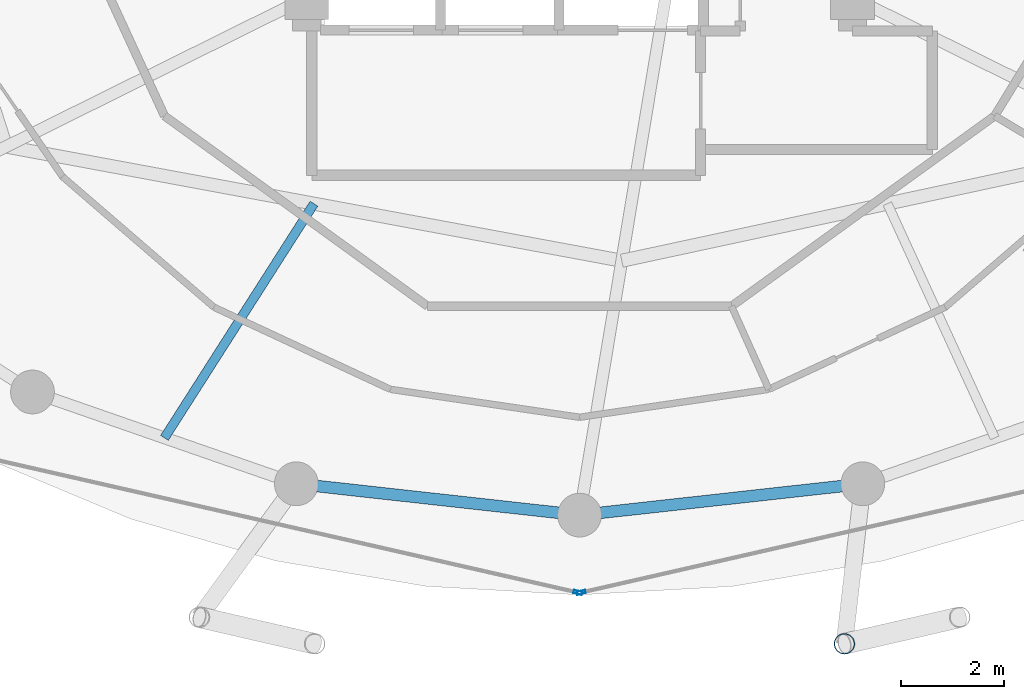
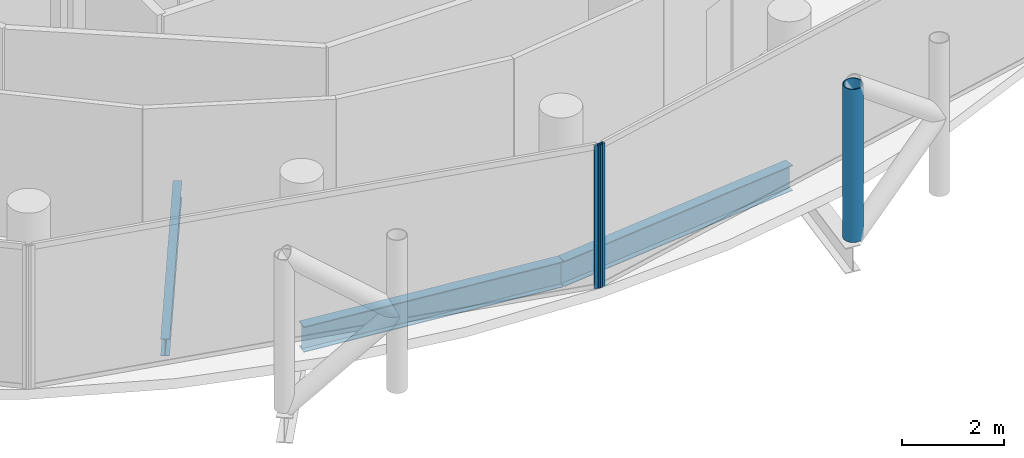
# One storey, part 5 of 27: 3 beams, 3 members, 2 elements without a shape of their own.
"""IFC4 building model written with IfcOpenShell, lengths in metres."""

from ifc_helpers import new_model, si_unit, direction, frame, origin, origin_2d, place, context, subcontext, project, spatial, hollow_rectangle, hollow_circle, i_section, extrude, material, layer, layer_set, material_profile, profile_set, type_object, element, aggregate, save


model = new_model("IFC4")

# Units and contexts
model_context = context("Model", 3, precision=1e-05, world=origin(), true_north=direction((0.0, 1.0)))
body_context = subcontext(model_context, "Body", "Model", "MODEL_VIEW")
ifc_project = project(units=[si_unit("LENGTHUNIT", "METRE"), si_unit("AREAUNIT", "SQUARE_METRE"), si_unit("VOLUMEUNIT", "CUBIC_METRE"), si_unit("PLANEANGLEUNIT", "RADIAN"), si_unit("MASSUNIT", "GRAM", prefix="KILO")], contexts=[model_context])

# Site, building, storey
site_placement = place(None, origin())
site = spatial("IfcSite", under=ifc_project, at=site_placement, CompositionType="ELEMENT")
building_placement = place(site_placement, origin())
building = spatial("IfcBuilding", under=site, at=building_placement, Name="Nuhasar Tower", CompositionType="ELEMENT")
storey_placement = place(building_placement, frame((0.0, 0.0, 215.449951171875)))
storey = spatial("IfcBuildingStorey", under=building, at=storey_placement, Name="L52", CompositionType="ELEMENT", Elevation=215.449951171875)

# Beams
ifc_material_1 = material(Name="Steel S355", Category="steel")
ifc_material_profile_1 = material_profile(ifc_material_1, i_section(OverallWidth=0.177978515625, OverallDepth=0.406005859375, WebThickness=0.0078125, FlangeThickness=0.0126953125, at=origin_2d()), Name="W16X40")
ifc_profile_set_1 = profile_set([ifc_material_profile_1], Name="Steel S355")
beam_type_1 = type_object("IfcBeamType", Name="BM-JST-W16X40", PredefinedType="JOIST", material=ifc_profile_set_1)
beam_placement = place(storey_placement, frame((33.842041015625, 14.998046875, -0.44287109375), z_axis=(-0.538168818546, -0.842837067733, 0.0), x_axis=(0.842837067733, -0.538168818546, 0.0)))
element("IfcBeam", 1, at=beam_placement, inside=storey, type_object=beam_type_1, Name="L52 Secondary Floor Joist 01", PredefinedType="JOIST", context=body_context, shape_type="SweptSolid", body=[
    extrude(i_section(OverallWidth=0.177978515625, OverallDepth=0.406005859375, WebThickness=0.0078125, FlangeThickness=0.0126953125, at=origin_2d()), origin(), (0.0, 0.0, 1.0), 5.396240234375),
])
ifc_material_profile_2 = material_profile(ifc_material_1, i_section(OverallWidth=0.22802734375, OverallDepth=0.60791015625, WebThickness=0.01123046875, FlangeThickness=0.017333984375, at=origin_2d()), Name="W24X76")
ifc_profile_set_2 = profile_set([ifc_material_profile_2], Name="Steel S355")
beam_type_2 = type_object("IfcBeamType", Name="BM-RING-W24X76", PredefinedType="SPANDREL", material=ifc_profile_set_2)
for number, where, z_axis, x_axis, name in (
    (2, (33.5, 9.55810546875, -0.5439453125), (0.993942242238, -0.109903680993, 0.0), (0.109903680993, 0.993942242238, 0.0), "L52 Perimeter Ring Spandrel 18"),
    (3, (39.0, 8.949951171875, -0.5439453125), (0.993942242238, 0.109903680993, 0.0), (-0.109903680993, 0.993942242238, 0.0), "L52 Perimeter Ring Spandrel 19"),
):
    element("IfcBeam", number, at=place(storey_placement, frame(where, z_axis=z_axis, x_axis=x_axis)), inside=storey, type_object=beam_type_2, Name=name, PredefinedType="SPANDREL", context=body_context, shape_type="SweptSolid", body=[
        extrude(i_section(OverallWidth=0.22802734375, OverallDepth=0.60791015625, WebThickness=0.01123046875, FlangeThickness=0.017333984375, at=origin_2d()), origin(), (0.0, 0.0, 1.0), 5.533447265625),
    ])

# Curtain wall, member
ifc_material_2 = material(Name="Aluminium 6063-T6", Category="aluminium")
ifc_layer = layer(ifc_material_2, 0.18994140625)
ifc_layer_set = layer_set([ifc_layer], Name="Aluminium 6063-T6")
curtain_wall_type = type_object("IfcCurtainWallType", Name="CW-Z3-RES", PredefinedType="NOTDEFINED", material=ifc_layer_set)
curtain_wall_1_placement = place(storey_placement, origin())
curtain_wall_1 = element("IfcCurtainWall", 4, at=curtain_wall_1_placement, inside=storey, type_object=curtain_wall_type, Name="L52 Unitised Curtain Wall 09", PredefinedType="NOTDEFINED")
ifc_material_profile_3 = material_profile(ifc_material_2, hollow_rectangle(XDim=0.06494140625, YDim=0.169921875, WallThickness=0.0048828125, at=origin_2d()), Name="CWM-4")
ifc_profile_set_3 = profile_set([ifc_material_profile_3], Name="Aluminium 6063-T6")
member_type_1 = type_object("IfcMemberType", Name="CW-MUL-S4", PredefinedType="MULLION", material=ifc_profile_set_3)
member_1_placement = place(storey_placement, frame((38.96826171875, 7.447265625, 0.0), z_axis=(0.0, 0.0, 1.0), x_axis=(0.222243176313, 0.974991266926, 0.0)))
member_1 = element("IfcMember", 5, at=member_1_placement, type_object=member_type_1, Name="CW-Z3 mullion 2", PredefinedType="MULLION", context=body_context, shape_type="SweptSolid", body=[
    extrude(hollow_rectangle(XDim=0.06494140625, YDim=0.169921875, WallThickness=0.0048828125, at=origin_2d()), origin(), (0.0, 0.0, 1.0), 3.41015625),
])
aggregate(curtain_wall_1, [member_1])

curtain_wall_2_placement = place(storey_placement, origin())
curtain_wall_2 = element("IfcCurtainWall", 6, at=curtain_wall_2_placement, inside=storey, type_object=curtain_wall_type, Name="L52 Unitised Curtain Wall 10", PredefinedType="NOTDEFINED")
member_2_placement = place(storey_placement, frame((39.03173828125, 7.447265625, 0.0), z_axis=(0.0, 0.0, 1.0), x_axis=(-0.222243176313, 0.974991266926, 0.0)))
member_2 = element("IfcMember", 7, at=member_2_placement, type_object=member_type_1, Name="CW-Z3 mullion 1", PredefinedType="MULLION", context=body_context, shape_type="SweptSolid", body=[
    extrude(hollow_rectangle(XDim=0.06494140625, YDim=0.169921875, WallThickness=0.0048828125, at=origin_2d()), origin(), (0.0, 0.0, 1.0), 3.41015625),
])
aggregate(curtain_wall_2, [member_2])

# Member
ifc_material_3 = material(Name="Steel S460", Category="steel")
ifc_material_profile_4 = material_profile(ifc_material_3, hollow_circle(Radius=0.203125, WallThickness=0.01904296875, at=origin_2d()), Name="HSS406.4X19.1")
ifc_profile_set_4 = profile_set([ifc_material_profile_4], Name="Steel S460")
member_type_2 = type_object("IfcMemberType", Name="EXO-BRONZE-406", PredefinedType="BRACE", material=ifc_profile_set_4)
member_3_placement = place(storey_placement, frame((44.14306640625, 6.450927734375, 0.0), z_axis=(0.0, 0.0, 1.0), x_axis=(1.0, 0.0, 0.0)))
element("IfcMember", 8, at=member_3_placement, inside=storey, type_object=member_type_2, Name="L52 Exoskeleton Chord Column EC-10A", PredefinedType="BRACE", context=body_context, shape_type="SweptSolid", body=[
    extrude(hollow_circle(Radius=0.203125, WallThickness=0.01904296875, at=origin_2d()), origin(), (0.0, 0.0, 1.0), 3.650146484375),
])

save(model, "model.ifc")
